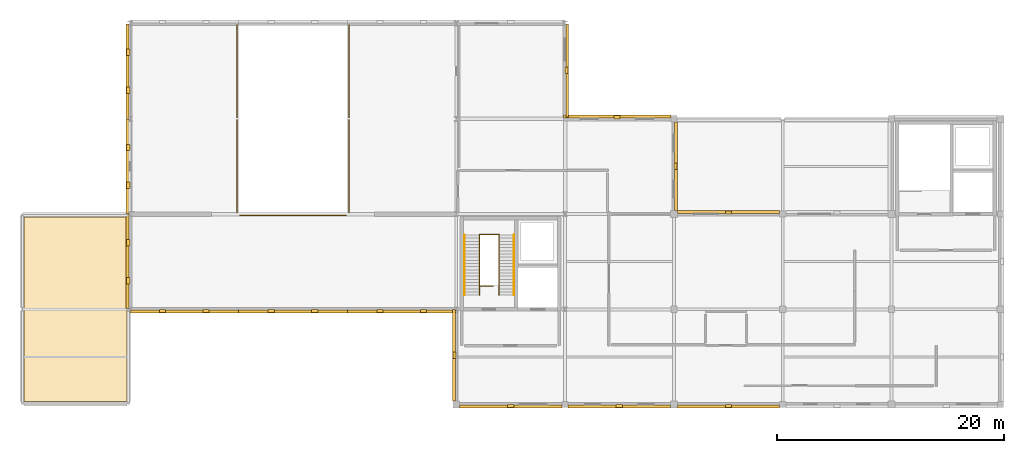
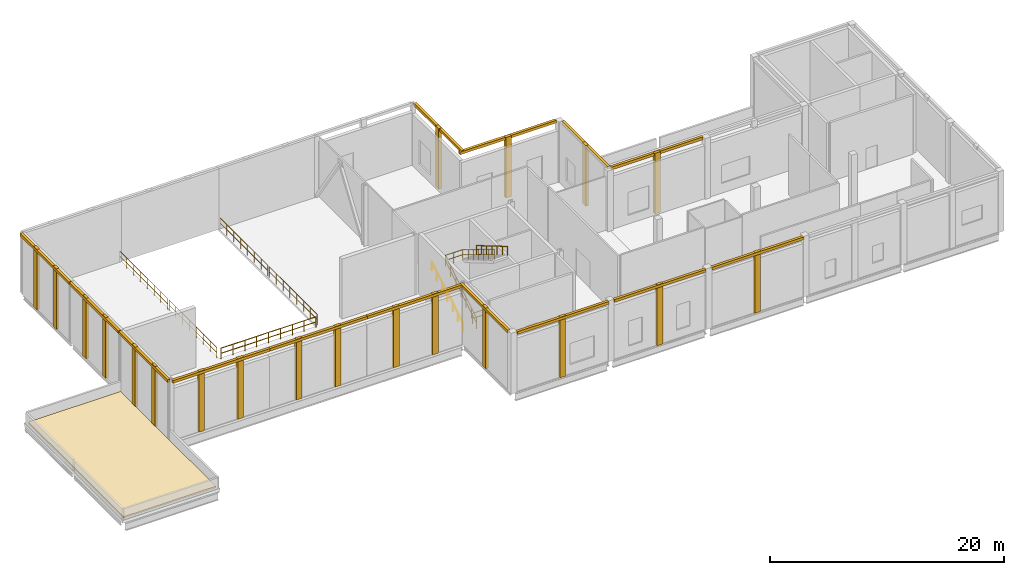
# One storey, part 8 of 9: 35 coverings, 11 railings.
"""IFC4 building model written with IfcOpenShell, lengths in metres."""

from ifc_helpers import new_model, si_unit, direction, frame, origin, origin_2d, place, context, subcontext, project, spatial, polyline, circle, outline, extrude, material, layer, layer_set, type_object, element, save


model = new_model("IFC4")

# Units and contexts
model_context = context("Model", 3, precision=1e-05, world=origin(), true_north=direction((0.0, 1.0)))
body_context = subcontext(model_context, "Body", "Model", "MODEL_VIEW")
ifc_project = project(units=[si_unit("LENGTHUNIT", "METRE"), si_unit("AREAUNIT", "SQUARE_METRE"), si_unit("VOLUMEUNIT", "CUBIC_METRE"), si_unit("PLANEANGLEUNIT", "RADIAN"), si_unit("MASSUNIT", "GRAM", prefix="KILO")], contexts=[model_context])

# Site, building, storey
site_placement = place(None, origin())
site = spatial("IfcSite", under=ifc_project, at=site_placement, CompositionType="ELEMENT")
building_placement = place(site_placement, origin())
building = spatial("IfcBuilding", under=site, at=building_placement, Name="Lornevale Opera House", CompositionType="ELEMENT")
storey_placement = place(building_placement, frame((0.0, 0.0, 24.60009765625)))
storey = spatial("IfcBuildingStorey", under=building, at=storey_placement, Name="L06", CompositionType="ELEMENT", Elevation=24.60009765625)

# Railings
ifc_material_1 = material(Name="Structural Steel CSA G40.21 Grade 350W (350 MPa)", Category="steel")
ifc_layer_1 = layer(ifc_material_1, 0.06005859375)
ifc_layer_set_1 = layer_set([ifc_layer_1], Name="Structural Steel CSA G40.21 Grade 350W (350 MPa)")
railing_type_1 = type_object("IfcRailingType", Name="Atrium Acoustic Balustrade 1120", PredefinedType="BALUSTRADE", material=ifc_layer_set_1)
for number, where, name in (
    (1, (76.659912109375, 67.320068359375, 0.0), "Atrium & Bowl Balustrade L06 0392"),
    (2, (76.659912109375, 75.719970703125, 0.0), "Atrium & Bowl Balustrade L06 0393"),
):
    element("IfcRailing", number, at=place(storey_placement, frame(where)), inside=storey, type_object=railing_type_1, Name=name, PredefinedType="BALUSTRADE", context=body_context, shape_type="SweptSolid", body=[
        extrude(circle(Radius=0.02392578125, at=origin_2d()), frame((0.0, 0.0, 1.09619140625), z_axis=(0.0, 1.0, 0.0), x_axis=(-1.0, 0.0, 0.0)), (0.0, 0.0, 1.0), 8.159912109375),
        extrude(circle(Radius=0.02392578125, at=origin_2d()), frame((0.0, 0.0, 0.56005859375), z_axis=(0.0, 1.0, 0.0), x_axis=(-1.0, 0.0, 0.0)), (0.0, 0.0, 1.0), 8.159912109375),
        extrude(circle(Radius=0.02099609375, at=origin_2d()), origin(), (0.0, 0.0, 1.0), 1.072021484375),
        extrude(circle(Radius=0.02099609375, at=origin_2d()), frame((0.0, 1.165771484375, 0.0)), (0.0, 0.0, 1.0), 1.072021484375),
        extrude(circle(Radius=0.02099609375, at=origin_2d()), frame((0.0, 2.331298828125, 0.0)), (0.0, 0.0, 1.0), 1.072021484375),
        extrude(circle(Radius=0.02099609375, at=origin_2d()), frame((0.0, 3.4970703125, 0.0)), (0.0, 0.0, 1.0), 1.072021484375),
        extrude(circle(Radius=0.02099609375, at=origin_2d()), frame((0.0, 4.662841796875, 0.0)), (0.0, 0.0, 1.0), 1.072021484375),
        extrude(circle(Radius=0.02099609375, at=origin_2d()), frame((0.0, 5.82861328125, 0.0)), (0.0, 0.0, 1.0), 1.072021484375),
        extrude(circle(Radius=0.02099609375, at=origin_2d()), frame((0.0, 6.994140625, 0.0)), (0.0, 0.0, 1.0), 1.072021484375),
        extrude(circle(Radius=0.02099609375, at=origin_2d()), frame((0.0, 8.159912109375, 0.0)), (0.0, 0.0, 1.0), 1.072021484375),
    ])
railing_1_placement = place(storey_placement, frame((76.919921875, 67.06005859375, 0.0)))
element("IfcRailing", 3, at=railing_1_placement, inside=storey, type_object=railing_type_1, Name="Atrium & Bowl Balustrade L06 0394", PredefinedType="BALUSTRADE", context=body_context, shape_type="SweptSolid", body=[
    extrude(circle(Radius=0.02392578125, at=origin_2d()), frame((0.0, 0.0, 1.09619140625), z_axis=(1.0, 0.0, 0.0), x_axis=(0.0, 1.0, 0.0)), (0.0, 0.0, 1.0), 9.360107421875),
    extrude(circle(Radius=0.02392578125, at=origin_2d()), frame((0.0, 0.0, 0.56005859375), z_axis=(1.0, 0.0, 0.0), x_axis=(0.0, 1.0, 0.0)), (0.0, 0.0, 1.0), 9.360107421875),
    extrude(circle(Radius=0.02099609375, at=origin_2d()), origin(), (0.0, 0.0, 1.0), 1.072021484375),
    extrude(circle(Radius=0.02099609375, at=origin_2d()), frame((1.169921875, 0.0, 0.0)), (0.0, 0.0, 1.0), 1.072021484375),
    extrude(circle(Radius=0.02099609375, at=origin_2d()), frame((2.340087890625, 0.0, 0.0)), (0.0, 0.0, 1.0), 1.072021484375),
    extrude(circle(Radius=0.02099609375, at=origin_2d()), frame((3.510009765625, 0.0, 0.0)), (0.0, 0.0, 1.0), 1.072021484375),
    extrude(circle(Radius=0.02099609375, at=origin_2d()), frame((4.68017578125, 0.0, 0.0)), (0.0, 0.0, 1.0), 1.072021484375),
    extrude(circle(Radius=0.02099609375, at=origin_2d()), frame((5.85009765625, 0.0, 0.0)), (0.0, 0.0, 1.0), 1.072021484375),
    extrude(circle(Radius=0.02099609375, at=origin_2d()), frame((7.02001953125, 0.0, 0.0)), (0.0, 0.0, 1.0), 1.072021484375),
    extrude(circle(Radius=0.02099609375, at=origin_2d()), frame((8.190185546875, 0.0, 0.0)), (0.0, 0.0, 1.0), 1.072021484375),
    extrude(circle(Radius=0.02099609375, at=origin_2d()), frame((9.360107421875, 0.0, 0.0)), (0.0, 0.0, 1.0), 1.072021484375),
])
for number, where, name in (
    (4, (86.5400390625, 67.320068359375, 0.0), "Atrium & Bowl Balustrade L06 0395"),
    (5, (86.5400390625, 75.719970703125, 0.0), "Atrium & Bowl Balustrade L06 0396"),
):
    element("IfcRailing", number, at=place(storey_placement, frame(where)), inside=storey, type_object=railing_type_1, Name=name, PredefinedType="BALUSTRADE", context=body_context, shape_type="SweptSolid", body=[
        extrude(circle(Radius=0.02392578125, at=origin_2d()), frame((0.0, 0.0, 1.09619140625), z_axis=(0.0, 1.0, 0.0), x_axis=(-1.0, 0.0, 0.0)), (0.0, 0.0, 1.0), 8.159912109375),
        extrude(circle(Radius=0.02392578125, at=origin_2d()), frame((0.0, 0.0, 0.56005859375), z_axis=(0.0, 1.0, 0.0), x_axis=(-1.0, 0.0, 0.0)), (0.0, 0.0, 1.0), 8.159912109375),
        extrude(circle(Radius=0.02099609375, at=origin_2d()), origin(), (0.0, 0.0, 1.0), 1.072021484375),
        extrude(circle(Radius=0.02099609375, at=origin_2d()), frame((0.0, 1.165771484375, 0.0)), (0.0, 0.0, 1.0), 1.072021484375),
        extrude(circle(Radius=0.02099609375, at=origin_2d()), frame((0.0, 2.331298828125, 0.0)), (0.0, 0.0, 1.0), 1.072021484375),
        extrude(circle(Radius=0.02099609375, at=origin_2d()), frame((0.0, 3.4970703125, 0.0)), (0.0, 0.0, 1.0), 1.072021484375),
        extrude(circle(Radius=0.02099609375, at=origin_2d()), frame((0.0, 4.662841796875, 0.0)), (0.0, 0.0, 1.0), 1.072021484375),
        extrude(circle(Radius=0.02099609375, at=origin_2d()), frame((0.0, 5.82861328125, 0.0)), (0.0, 0.0, 1.0), 1.072021484375),
        extrude(circle(Radius=0.02099609375, at=origin_2d()), frame((0.0, 6.994140625, 0.0)), (0.0, 0.0, 1.0), 1.072021484375),
        extrude(circle(Radius=0.02099609375, at=origin_2d()), frame((0.0, 8.159912109375, 0.0)), (0.0, 0.0, 1.0), 1.072021484375),
    ])

# Coverings
ifc_material_2 = material(Name="Vegetated Extensive Green Roof Assembly")
ifc_layer_2 = layer(ifc_material_2, 0.159912109375)
ifc_layer_set_2 = layer_set([ifc_layer_2], Name="Vegetated Extensive Green Roof Assembly")
covering_type_1 = type_object("IfcCoveringType", Name="Chapter 492 Green Roof Covering", PredefinedType="ROOFING", material=ifc_layer_set_2)
covering_1_placement = place(storey_placement, origin())
element("IfcCovering", 6, at=covering_1_placement, inside=storey, type_object=covering_type_1, Name="Chapter 492 Green Roof Covering 0571", PredefinedType="ROOFING", context=body_context, shape_type="SweptSolid", body=[
    extrude(outline(polyline([(57.860107421875, 50.659912109375), (57.860107421875, 66.93994140625), (66.93994140625, 66.93994140625), (66.93994140625, 50.659912109375), (57.860107421875, 50.659912109375)])), origin(), (0.0, 0.0, 1.0), 0.159912109375),
])
ifc_material_3 = material(Name="Precast Concrete 40 MPa (CSA A23.1 C-1)", Category="concrete")
ifc_layer_3 = layer(ifc_material_3, 0.260009765625)
ifc_layer_set_3 = layer_set([ifc_layer_3], Name="Precast Concrete 40 MPa (CSA A23.1 C-1)")
covering_type_2 = type_object("IfcCoveringType", Name="Postmodern Sandstone Pilaster Rib", PredefinedType="CLADDING", material=ifc_layer_set_3)
covering_2_placement = place(storey_placement, origin())
element("IfcCovering", 7, at=covering_2_placement, inside=storey, type_object=covering_type_2, Name="Postmodern Sandstone Pilaster 0466", PredefinedType="CLADDING", context=body_context, shape_type="SweptSolid", body=[
    extrude(outline(polyline([(74.201904296875, 58.800048828125), (73.64208984375, 58.800048828125), (73.64208984375, 58.52001953125), (74.201904296875, 58.52001953125), (74.201904296875, 58.800048828125)])), origin(), (0.0, 0.0, 1.0), 6.309814453125),
])
covering_3_placement = place(storey_placement, origin())
element("IfcCovering", 8, at=covering_3_placement, inside=storey, type_object=covering_type_2, Name="Postmodern Sandstone Pilaster 0467", PredefinedType="CLADDING", context=body_context, shape_type="SweptSolid", body=[
    extrude(outline(polyline([(70.373046875, 58.800048828125), (69.81298828125, 58.800048828125), (69.81298828125, 58.52001953125), (70.373046875, 58.52001953125), (70.373046875, 58.800048828125)])), origin(), (0.0, 0.0, 1.0), 6.309814453125),
])
covering_4_placement = place(storey_placement, origin())
element("IfcCovering", 9, at=covering_4_placement, inside=storey, type_object=covering_type_2, Name="Postmodern Sandstone Pilaster 0469", PredefinedType="CLADDING", context=body_context, shape_type="SweptSolid", body=[
    extrude(outline(polyline([(67.199951171875, 61.048095703125), (67.199951171875, 61.60791015625), (66.919921875, 61.60791015625), (66.919921875, 61.048095703125), (67.199951171875, 61.048095703125)])), origin(), (0.0, 0.0, 1.0), 6.309814453125),
])
covering_5_placement = place(storey_placement, origin())
element("IfcCovering", 10, at=covering_5_placement, inside=storey, type_object=covering_type_2, Name="Postmodern Sandstone Pilaster 0470", PredefinedType="CLADDING", context=body_context, shape_type="SweptSolid", body=[
    extrude(outline(polyline([(67.199951171875, 64.39208984375), (67.199951171875, 64.951904296875), (66.919921875, 64.951904296875), (66.919921875, 64.39208984375), (67.199951171875, 64.39208984375)])), origin(), (0.0, 0.0, 1.0), 6.309814453125),
])
covering_6_placement = place(storey_placement, origin())
element("IfcCovering", 11, at=covering_6_placement, inside=storey, type_object=covering_type_2, Name="Postmodern Sandstone Pilaster 0472", PredefinedType="CLADDING", context=body_context, shape_type="SweptSolid", body=[
    extrude(outline(polyline([(67.199951171875, 69.447998046875), (67.199951171875, 70.008056640625), (66.919921875, 70.008056640625), (66.919921875, 69.447998046875), (67.199951171875, 69.447998046875)])), origin(), (0.0, 0.0, 1.0), 6.309814453125),
])
covering_7_placement = place(storey_placement, origin())
element("IfcCovering", 12, at=covering_7_placement, inside=storey, type_object=covering_type_2, Name="Postmodern Sandstone Pilaster 0473", PredefinedType="CLADDING", context=body_context, shape_type="SweptSolid", body=[
    extrude(outline(polyline([(67.199951171875, 72.7919921875), (67.199951171875, 73.35205078125), (66.919921875, 73.35205078125), (66.919921875, 72.7919921875), (67.199951171875, 72.7919921875)])), origin(), (0.0, 0.0, 1.0), 6.309814453125),
])
covering_8_placement = place(storey_placement, origin())
element("IfcCovering", 13, at=covering_8_placement, inside=storey, type_object=covering_type_2, Name="Postmodern Sandstone Pilaster 0478", PredefinedType="CLADDING", context=body_context, shape_type="SweptSolid", body=[
    extrude(outline(polyline([(67.199951171875, 77.847900390625), (67.199951171875, 78.407958984375), (66.919921875, 78.407958984375), (66.919921875, 77.847900390625), (67.199951171875, 77.847900390625)])), origin(), (0.0, 0.0, 1.0), 6.309814453125),
])
covering_9_placement = place(storey_placement, origin())
element("IfcCovering", 14, at=covering_9_placement, inside=storey, type_object=covering_type_2, Name="Postmodern Sandstone Pilaster 0479", PredefinedType="CLADDING", context=body_context, shape_type="SweptSolid", body=[
    extrude(outline(polyline([(67.199951171875, 81.19189453125), (67.199951171875, 81.751953125), (66.919921875, 81.751953125), (66.919921875, 81.19189453125), (67.199951171875, 81.19189453125)])), origin(), (0.0, 0.0, 1.0), 6.309814453125),
])
covering_10_placement = place(storey_placement, origin())
element("IfcCovering", 15, at=covering_10_placement, inside=storey, type_object=covering_type_2, Name="Postmodern Sandstone Pilaster 0481", PredefinedType="CLADDING", context=body_context, shape_type="SweptSolid", body=[
    extrude(outline(polyline([(83.798095703125, 58.800048828125), (83.238037109375, 58.800048828125), (83.238037109375, 58.52001953125), (83.798095703125, 58.52001953125), (83.798095703125, 58.800048828125)])), origin(), (0.0, 0.0, 1.0), 6.309814453125),
])
covering_11_placement = place(storey_placement, origin())
element("IfcCovering", 16, at=covering_11_placement, inside=storey, type_object=covering_type_2, Name="Postmodern Sandstone Pilaster 0482", PredefinedType="CLADDING", context=body_context, shape_type="SweptSolid", body=[
    extrude(outline(polyline([(79.9619140625, 58.800048828125), (79.402099609375, 58.800048828125), (79.402099609375, 58.52001953125), (79.9619140625, 58.52001953125), (79.9619140625, 58.800048828125)])), origin(), (0.0, 0.0, 1.0), 6.309814453125),
])
covering_12_placement = place(storey_placement, origin())
element("IfcCovering", 17, at=covering_12_placement, inside=storey, type_object=covering_type_2, Name="Postmodern Sandstone Pilaster 0487", PredefinedType="CLADDING", context=body_context, shape_type="SweptSolid", body=[
    extrude(outline(polyline([(93.387939453125, 58.800048828125), (92.827880859375, 58.800048828125), (92.827880859375, 58.52001953125), (93.387939453125, 58.52001953125), (93.387939453125, 58.800048828125)])), origin(), (0.0, 0.0, 1.0), 6.309814453125),
])
covering_13_placement = place(storey_placement, origin())
element("IfcCovering", 18, at=covering_13_placement, inside=storey, type_object=covering_type_2, Name="Postmodern Sandstone Pilaster 0488", PredefinedType="CLADDING", context=body_context, shape_type="SweptSolid", body=[
    extrude(outline(polyline([(89.55810546875, 58.800048828125), (88.998046875, 58.800048828125), (88.998046875, 58.52001953125), (89.55810546875, 58.52001953125), (89.55810546875, 58.800048828125)])), origin(), (0.0, 0.0, 1.0), 6.309814453125),
])
covering_14_placement = place(storey_placement, origin())
element("IfcCovering", 19, at=covering_14_placement, inside=storey, type_object=covering_type_2, Name="Postmodern Sandstone Pilaster 0493", PredefinedType="CLADDING", context=body_context, shape_type="SweptSolid", body=[
    extrude(outline(polyline([(101.092041015625, 50.39990234375), (100.531982421875, 50.39990234375), (100.531982421875, 50.1201171875), (101.092041015625, 50.1201171875), (101.092041015625, 50.39990234375)])), origin(), (0.0, 0.0, 1.0), 6.309814453125),
])
covering_15_placement = place(storey_placement, origin())
element("IfcCovering", 20, at=covering_15_placement, inside=storey, type_object=covering_type_2, Name="Postmodern Sandstone Pilaster 0495", PredefinedType="CLADDING", context=body_context, shape_type="SweptSolid", body=[
    extrude(outline(polyline([(96.0, 54.4599609375), (96.0, 55.02001953125), (95.719970703125, 55.02001953125), (95.719970703125, 54.4599609375), (96.0, 54.4599609375)])), origin(), (0.0, 0.0, 1.0), 6.309814453125),
])
covering_16_placement = place(storey_placement, origin())
element("IfcCovering", 21, at=covering_16_placement, inside=storey, type_object=covering_type_2, Name="Postmodern Sandstone Pilaster 0499", PredefinedType="CLADDING", context=body_context, shape_type="SweptSolid", body=[
    extrude(outline(polyline([(105.60009765625, 80.153076171875), (105.60009765625, 79.593017578125), (105.8798828125, 79.593017578125), (105.8798828125, 80.153076171875), (105.60009765625, 80.153076171875)])), origin(), (0.0, 0.0, 1.0), 6.309814453125),
])
covering_17_placement = place(storey_placement, origin())
element("IfcCovering", 22, at=covering_17_placement, inside=storey, type_object=covering_type_2, Name="Postmodern Sandstone Pilaster 0501", PredefinedType="CLADDING", context=body_context, shape_type="SweptSolid", body=[
    extrude(outline(polyline([(110.66796875, 50.39990234375), (110.10791015625, 50.39990234375), (110.10791015625, 50.1201171875), (110.66796875, 50.1201171875), (110.66796875, 50.39990234375)])), origin(), (0.0, 0.0, 1.0), 6.309814453125),
])
covering_18_placement = place(storey_placement, origin())
element("IfcCovering", 23, at=covering_18_placement, inside=storey, type_object=covering_type_2, Name="Postmodern Sandstone Pilaster 0503", PredefinedType="CLADDING", context=body_context, shape_type="SweptSolid", body=[
    extrude(outline(polyline([(109.904052734375, 75.60009765625), (110.464111328125, 75.60009765625), (110.464111328125, 75.8798828125), (109.904052734375, 75.8798828125), (109.904052734375, 75.60009765625)])), origin(), (0.0, 0.0, 1.0), 6.309814453125),
])
covering_19_placement = place(storey_placement, origin())
element("IfcCovering", 24, at=covering_19_placement, inside=storey, type_object=covering_type_2, Name="Postmodern Sandstone Pilaster 0505", PredefinedType="CLADDING", context=body_context, shape_type="SweptSolid", body=[
    extrude(outline(polyline([(115.199951171875, 71.693115234375), (115.199951171875, 71.133056640625), (115.47998046875, 71.133056640625), (115.47998046875, 71.693115234375), (115.199951171875, 71.693115234375)])), origin(), (0.0, 0.0, 1.0), 6.309814453125),
])
covering_20_placement = place(storey_placement, origin())
element("IfcCovering", 25, at=covering_20_placement, inside=storey, type_object=covering_type_2, Name="Postmodern Sandstone Pilaster 0507", PredefinedType="CLADDING", context=body_context, shape_type="SweptSolid", body=[
    extrude(outline(polyline([(120.29296875, 50.39990234375), (119.73291015625, 50.39990234375), (119.73291015625, 50.1201171875), (120.29296875, 50.1201171875), (120.29296875, 50.39990234375)])), origin(), (0.0, 0.0, 1.0), 6.309814453125),
])
covering_21_placement = place(storey_placement, origin())
element("IfcCovering", 26, at=covering_21_placement, inside=storey, type_object=covering_type_2, Name="Postmodern Sandstone Pilaster 0509", PredefinedType="CLADDING", context=body_context, shape_type="SweptSolid", body=[
    extrude(outline(polyline([(119.73291015625, 67.199951171875), (120.29296875, 67.199951171875), (120.29296875, 67.47998046875), (119.73291015625, 67.47998046875), (119.73291015625, 67.199951171875)])), origin(), (0.0, 0.0, 1.0), 6.309814453125),
])
ifc_material_4 = material(Name="Queenston Buff Limestone Ashlar Masonry (25 MPa)", Category="masonry")
ifc_layer_4 = layer(ifc_material_4, 0.1201171875)
ifc_layer_set_4 = layer_set([ifc_layer_4], Name="Queenston Buff Limestone Ashlar Masonry (25 MPa)")
covering_type_3 = type_object("IfcCoveringType", Name="Precast Limestone Cornice Band", PredefinedType="CLADDING", material=ifc_layer_set_4)
covering_22_placement = place(storey_placement, frame((0.0, 0.0, 6.02978515625)))
element("IfcCovering", 27, at=covering_22_placement, inside=storey, type_object=covering_type_3, Name="Precast Limestone Cornice Band 0468", PredefinedType="CLADDING", context=body_context, shape_type="SweptSolid", body=[
    extrude(outline(polyline([(76.794921875, 58.739990234375), (67.219970703125, 58.739990234375), (67.219970703125, 58.47998046875), (76.794921875, 58.47998046875), (76.794921875, 58.739990234375)])), origin(), (0.0, 0.0, 1.0), 0.280029296875),
])
covering_23_placement = place(storey_placement, frame((0.0, 0.0, 6.02978515625)))
element("IfcCovering", 28, at=covering_23_placement, inside=storey, type_object=covering_type_3, Name="Precast Limestone Cornice Band 0471", PredefinedType="CLADDING", context=body_context, shape_type="SweptSolid", body=[
    extrude(outline(polyline([(67.139892578125, 58.820068359375), (67.139892578125, 67.179931640625), (66.8798828125, 67.179931640625), (66.8798828125, 58.820068359375), (67.139892578125, 58.820068359375)])), origin(), (0.0, 0.0, 1.0), 0.280029296875),
])
covering_24_placement = place(storey_placement, frame((0.0, 0.0, 6.02978515625)))
element("IfcCovering", 29, at=covering_24_placement, inside=storey, type_object=covering_type_3, Name="Precast Limestone Cornice Band 0474", PredefinedType="CLADDING", context=body_context, shape_type="SweptSolid", body=[
    extrude(outline(polyline([(67.139892578125, 67.219970703125), (67.139892578125, 75.580078125), (66.8798828125, 75.580078125), (66.8798828125, 67.219970703125), (67.139892578125, 67.219970703125)])), origin(), (0.0, 0.0, 1.0), 0.280029296875),
])
covering_25_placement = place(storey_placement, frame((0.0, 0.0, 6.02978515625)))
element("IfcCovering", 30, at=covering_25_placement, inside=storey, type_object=covering_type_3, Name="Precast Limestone Cornice Band 0480", PredefinedType="CLADDING", context=body_context, shape_type="SweptSolid", body=[
    extrude(outline(polyline([(67.139892578125, 75.6201171875), (67.139892578125, 83.97998046875), (66.8798828125, 83.97998046875), (66.8798828125, 75.6201171875), (67.139892578125, 75.6201171875)])), origin(), (0.0, 0.0, 1.0), 0.280029296875),
])
covering_26_placement = place(storey_placement, frame((0.0, 0.0, 6.02978515625)))
element("IfcCovering", 31, at=covering_26_placement, inside=storey, type_object=covering_type_3, Name="Precast Limestone Cornice Band 0483", PredefinedType="CLADDING", context=body_context, shape_type="SweptSolid", body=[
    extrude(outline(polyline([(86.39501953125, 58.739990234375), (76.804931640625, 58.739990234375), (76.804931640625, 58.47998046875), (86.39501953125, 58.47998046875), (86.39501953125, 58.739990234375)])), origin(), (0.0, 0.0, 1.0), 0.280029296875),
])
covering_27_placement = place(storey_placement, frame((0.0, 0.0, 6.02978515625)))
element("IfcCovering", 32, at=covering_27_placement, inside=storey, type_object=covering_type_3, Name="Precast Limestone Cornice Band 0489", PredefinedType="CLADDING", context=body_context, shape_type="SweptSolid", body=[
    extrude(outline(polyline([(95.97998046875, 58.739990234375), (86.405029296875, 58.739990234375), (86.405029296875, 58.47998046875), (95.97998046875, 58.47998046875), (95.97998046875, 58.739990234375)])), origin(), (0.0, 0.0, 1.0), 0.280029296875),
])
covering_28_placement = place(storey_placement, frame((0.0, 0.0, 6.02978515625)))
element("IfcCovering", 33, at=covering_28_placement, inside=storey, type_object=covering_type_3, Name="Precast Limestone Cornice Band 0494", PredefinedType="CLADDING", context=body_context, shape_type="SweptSolid", body=[
    extrude(outline(polyline([(105.324951171875, 50.340087890625), (96.300048828125, 50.340087890625), (96.300048828125, 50.080078125), (105.324951171875, 50.080078125), (105.324951171875, 50.340087890625)])), origin(), (0.0, 0.0, 1.0), 0.280029296875),
])
covering_29_placement = place(storey_placement, frame((0.0, 0.0, 6.02978515625)))
element("IfcCovering", 34, at=covering_29_placement, inside=storey, type_object=covering_type_3, Name="Precast Limestone Cornice Band 0496", PredefinedType="CLADDING", context=body_context, shape_type="SweptSolid", body=[
    extrude(outline(polyline([(95.93994140625, 50.699951171875), (95.93994140625, 58.780029296875), (95.679931640625, 58.780029296875), (95.679931640625, 50.699951171875), (95.93994140625, 50.699951171875)])), origin(), (0.0, 0.0, 1.0), 0.280029296875),
])
covering_30_placement = place(storey_placement, frame((0.0, 0.0, 6.02978515625)))
element("IfcCovering", 35, at=covering_30_placement, inside=storey, type_object=covering_type_3, Name="Precast Limestone Cornice Band 0500", PredefinedType="CLADDING", context=body_context, shape_type="SweptSolid", body=[
    extrude(outline(polyline([(105.659912109375, 83.97998046875), (105.659912109375, 75.76708984375), (105.919921875, 75.76708984375), (105.919921875, 83.97998046875), (105.659912109375, 83.97998046875)])), origin(), (0.0, 0.0, 1.0), 0.280029296875),
])
covering_31_placement = place(storey_placement, frame((0.0, 0.0, 6.02978515625)))
element("IfcCovering", 36, at=covering_31_placement, inside=storey, type_object=covering_type_3, Name="Precast Limestone Cornice Band 0502", PredefinedType="CLADDING", context=body_context, shape_type="SweptSolid", body=[
    extrude(outline(polyline([(114.89990234375, 50.340087890625), (105.875, 50.340087890625), (105.875, 50.080078125), (114.89990234375, 50.080078125), (114.89990234375, 50.340087890625)])), origin(), (0.0, 0.0, 1.0), 0.280029296875),
])
covering_32_placement = place(storey_placement, frame((0.0, 0.0, 6.02978515625)))
element("IfcCovering", 37, at=covering_32_placement, inside=storey, type_object=covering_type_3, Name="Precast Limestone Cornice Band 0504", PredefinedType="CLADDING", context=body_context, shape_type="SweptSolid", body=[
    extrude(outline(polyline([(105.444091796875, 75.659912109375), (114.925048828125, 75.659912109375), (114.925048828125, 75.919921875), (105.444091796875, 75.919921875), (105.444091796875, 75.659912109375)])), origin(), (0.0, 0.0, 1.0), 0.280029296875),
])
covering_33_placement = place(storey_placement, frame((0.0, 0.0, 6.02978515625)))
element("IfcCovering", 38, at=covering_33_placement, inside=storey, type_object=covering_type_3, Name="Precast Limestone Cornice Band 0506", PredefinedType="CLADDING", context=body_context, shape_type="SweptSolid", body=[
    extrude(outline(polyline([(115.260009765625, 75.324951171875), (115.260009765625, 67.5), (115.52001953125, 67.5), (115.52001953125, 75.324951171875), (115.260009765625, 75.324951171875)])), origin(), (0.0, 0.0, 1.0), 0.280029296875),
])
covering_34_placement = place(storey_placement, frame((0.0, 0.0, 6.02978515625)))
element("IfcCovering", 39, at=covering_34_placement, inside=storey, type_object=covering_type_3, Name="Precast Limestone Cornice Band 0508", PredefinedType="CLADDING", context=body_context, shape_type="SweptSolid", body=[
    extrude(outline(polyline([(124.52490234375, 50.340087890625), (115.5, 50.340087890625), (115.5, 50.080078125), (124.52490234375, 50.080078125), (124.52490234375, 50.340087890625)])), origin(), (0.0, 0.0, 1.0), 0.280029296875),
])
covering_35_placement = place(storey_placement, frame((0.0, 0.0, 6.02978515625)))
element("IfcCovering", 40, at=covering_35_placement, inside=storey, type_object=covering_type_3, Name="Precast Limestone Cornice Band 0510", PredefinedType="CLADDING", context=body_context, shape_type="SweptSolid", body=[
    extrude(outline(polyline([(115.5, 67.260009765625), (124.52490234375, 67.260009765625), (124.52490234375, 67.52001953125), (115.5, 67.52001953125), (115.5, 67.260009765625)])), origin(), (0.0, 0.0, 1.0), 0.280029296875),
])

# Railings
ifc_layer_5 = layer(ifc_material_1, 0.050048828125)
ifc_layer_set_5 = layer_set([ifc_layer_5], Name="Structural Steel CSA G40.21 Grade 350W (350 MPa)")
railing_type_2 = type_object("IfcRailingType", Name="Stair Well Guardrail 1100", PredefinedType="GUARDRAIL", material=ifc_layer_set_5)
railing_2_placement = place(storey_placement, frame((98.0400390625, 60.0400390625, 0.0)))
element("IfcRailing", 41, at=railing_2_placement, inside=storey, type_object=railing_type_2, Name="ST-27 Inner Well Guard F1", PredefinedType="GUARDRAIL", context=body_context, shape_type="SweptSolid", body=[
    extrude(circle(Radius=0.02392578125, at=origin_2d()), frame((0.0, 0.0, 1.076171875), z_axis=(0.0, 0.849805221637, 0.527096846205), x_axis=(-1.0, 0.0, 0.0)), (0.0, 0.0, 1.0), 6.26025390625),
    extrude(circle(Radius=0.02392578125, at=origin_2d()), frame((0.0, 0.0, 0.550048828125), z_axis=(0.0, 0.849805221637, 0.527096846205), x_axis=(-1.0, 0.0, 0.0)), (0.0, 0.0, 1.0), 6.26025390625),
    extrude(circle(Radius=0.02099609375, at=origin_2d()), origin(), (0.0, 0.0, 1.0), 1.052001953125),
    extrude(circle(Radius=0.02099609375, at=origin_2d()), frame((0.0, 0.88671875, 0.550048828125)), (0.0, 0.0, 1.0), 1.052001953125),
    extrude(circle(Radius=0.02099609375, at=origin_2d()), frame((0.0, 1.7734375, 1.099853515625)), (0.0, 0.0, 1.0), 1.052001953125),
    extrude(circle(Radius=0.02099609375, at=origin_2d()), frame((0.0, 2.66015625, 1.64990234375)), (0.0, 0.0, 1.0), 1.052001953125),
    extrude(circle(Radius=0.02099609375, at=origin_2d()), frame((0.0, 3.546630859375, 2.199951171875)), (0.0, 0.0, 1.0), 1.052001953125),
    extrude(circle(Radius=0.02099609375, at=origin_2d()), frame((0.0, 4.433349609375, 2.749755859375)), (0.0, 0.0, 1.0), 1.052001953125),
    extrude(circle(Radius=0.02099609375, at=origin_2d()), frame((0.0, 5.320068359375, 3.2998046875)), (0.0, 0.0, 1.0), 1.052001953125),
])
railing_3_placement = place(storey_placement, frame((99.760009765625, 65.360107421875, 3.2998046875)))
element("IfcRailing", 42, at=railing_3_placement, inside=storey, type_object=railing_type_2, Name="ST-27 Inner Well Guard F2", PredefinedType="GUARDRAIL", context=body_context, shape_type="SweptSolid", body=[
    extrude(circle(Radius=0.02392578125, at=origin_2d()), frame((0.0, 0.0, 1.076171875), z_axis=(0.0, -0.849787753173, 0.527125008473), x_axis=(1.0, 0.0, 0.0)), (0.0, 0.0, 1.0), 6.260498046875),
    extrude(circle(Radius=0.02392578125, at=origin_2d()), frame((0.0, 0.0, 0.550048828125), z_axis=(0.0, -0.849787753173, 0.527125008473), x_axis=(1.0, 0.0, 0.0)), (0.0, 0.0, 1.0), 6.260498046875),
    extrude(circle(Radius=0.02099609375, at=origin_2d()), origin(), (0.0, 0.0, 1.0), 1.052001953125),
    extrude(circle(Radius=0.02099609375, at=origin_2d()), frame((0.0, -0.88671875, 0.550048828125)), (0.0, 0.0, 1.0), 1.052001953125),
    extrude(circle(Radius=0.02099609375, at=origin_2d()), frame((0.0, -1.7734375, 1.10009765625)), (0.0, 0.0, 1.0), 1.052001953125),
    extrude(circle(Radius=0.02099609375, at=origin_2d()), frame((0.0, -2.66015625, 1.64990234375)), (0.0, 0.0, 1.0), 1.052001953125),
    extrude(circle(Radius=0.02099609375, at=origin_2d()), frame((0.0, -3.546630859375, 2.199951171875)), (0.0, 0.0, 1.0), 1.052001953125),
    extrude(circle(Radius=0.02099609375, at=origin_2d()), frame((0.0, -4.433349609375, 2.75)), (0.0, 0.0, 1.0), 1.052001953125),
    extrude(circle(Radius=0.02099609375, at=origin_2d()), frame((0.0, -5.320068359375, 3.300048828125)), (0.0, 0.0, 1.0), 1.052001953125),
])
railing_4_placement = place(storey_placement, frame((98.0400390625, 65.389892578125, 3.2998046875)))
element("IfcRailing", 43, at=railing_4_placement, inside=storey, type_object=railing_type_2, Name="ST-27 Half-Landing Slot Guard", PredefinedType="GUARDRAIL", context=body_context, shape_type="SweptSolid", body=[
    extrude(circle(Radius=0.02392578125, at=origin_2d()), frame((0.0, 0.0, 1.076171875), z_axis=(1.0, 0.0, 0.0), x_axis=(0.0, 1.0, 0.0)), (0.0, 0.0, 1.0), 1.719970703125),
    extrude(circle(Radius=0.02392578125, at=origin_2d()), frame((0.0, 0.0, 0.550048828125), z_axis=(1.0, 0.0, 0.0), x_axis=(0.0, 1.0, 0.0)), (0.0, 0.0, 1.0), 1.719970703125),
    extrude(circle(Radius=0.02099609375, at=origin_2d()), origin(), (0.0, 0.0, 1.0), 1.052001953125),
    extrude(circle(Radius=0.02099609375, at=origin_2d()), frame((0.85986328125, 0.0, 0.0)), (0.0, 0.0, 1.0), 1.052001953125),
    extrude(circle(Radius=0.02099609375, at=origin_2d()), frame((1.719970703125, 0.0, 0.0)), (0.0, 0.0, 1.0), 1.052001953125),
])
railing_5_placement = place(storey_placement, frame((98.080078125, 60.840087890625, 0.0)))
element("IfcRailing", 44, at=railing_5_placement, inside=storey, type_object=railing_type_2, Name="ST-27 L06 Well Slot Guard", PredefinedType="GUARDRAIL", context=body_context, shape_type="SweptSolid", body=[
    extrude(circle(Radius=0.02392578125, at=origin_2d()), frame((0.0, 0.0, 1.076171875), z_axis=(1.0, 0.0, 0.0), x_axis=(0.0, 1.0, 0.0)), (0.0, 0.0, 1.0), 1.159912109375),
    extrude(circle(Radius=0.02392578125, at=origin_2d()), frame((0.0, 0.0, 0.550048828125), z_axis=(1.0, 0.0, 0.0), x_axis=(0.0, 1.0, 0.0)), (0.0, 0.0, 1.0), 1.159912109375),
    extrude(circle(Radius=0.02099609375, at=origin_2d()), origin(), (0.0, 0.0, 1.0), 1.052001953125),
    extrude(circle(Radius=0.02099609375, at=origin_2d()), frame((1.159912109375, 0.0, 0.0)), (0.0, 0.0, 1.0), 1.052001953125),
])
ifc_layer_6 = layer(ifc_material_1, 0.048095703125)
ifc_layer_set_6 = layer_set([ifc_layer_6], Name="Structural Steel CSA G40.21 Grade 350W (350 MPa)")
railing_type_3 = type_object("IfcRailingType", Name="Tubular Stair Handrail 915", PredefinedType="HANDRAIL", material=ifc_layer_set_6)
railing_6_placement = place(storey_placement, frame((96.719970703125, 60.0400390625, 0.16796875)))
element("IfcRailing", 45, at=railing_6_placement, inside=storey, type_object=railing_type_3, Name="ST-27 Outer Handrail F1", PredefinedType="HANDRAIL", context=body_context, shape_type="SweptSolid", body=[
    extrude(circle(Radius=0.02392578125, at=origin_2d()), frame((0.0, 0.0, 0.89111328125), z_axis=(0.0, 0.861540623173, 0.507688639446), x_axis=(-1.0, 0.0, 0.0)), (0.0, 0.0, 1.0), 6.175048828125),
    extrude(circle(Radius=0.02099609375, at=origin_2d()), origin(), (0.0, 0.0, 1.0), 0.866943359375),
    extrude(circle(Radius=0.02099609375, at=origin_2d()), frame((0.0, 0.88671875, 0.5224609375)), (0.0, 0.0, 1.0), 0.866943359375),
    extrude(circle(Radius=0.02099609375, at=origin_2d()), frame((0.0, 1.7734375, 1.044921875)), (0.0, 0.0, 1.0), 0.866943359375),
    extrude(circle(Radius=0.02099609375, at=origin_2d()), frame((0.0, 2.66015625, 1.5673828125)), (0.0, 0.0, 1.0), 0.866943359375),
    extrude(circle(Radius=0.02099609375, at=origin_2d()), frame((0.0, 3.546630859375, 2.090087890625)), (0.0, 0.0, 1.0), 0.866943359375),
    extrude(circle(Radius=0.02099609375, at=origin_2d()), frame((0.0, 4.433349609375, 2.612548828125)), (0.0, 0.0, 1.0), 0.866943359375),
    extrude(circle(Radius=0.02099609375, at=origin_2d()), frame((0.0, 5.320068359375, 3.135009765625)), (0.0, 0.0, 1.0), 0.866943359375),
])
railing_7_placement = place(storey_placement, frame((101.080078125, 65.360107421875, 3.468017578125)))
element("IfcRailing", 46, at=railing_7_placement, inside=storey, type_object=railing_type_3, Name="ST-27 Outer Handrail F2", PredefinedType="HANDRAIL", context=body_context, shape_type="SweptSolid", body=[
    extrude(circle(Radius=0.02392578125, at=origin_2d()), frame((0.0, 0.0, 0.89111328125), z_axis=(0.0, -0.861557916079, 0.507659292481), x_axis=(1.0, 0.0, 0.0)), (0.0, 0.0, 1.0), 6.175048828125),
    extrude(circle(Radius=0.02099609375, at=origin_2d()), origin(), (0.0, 0.0, 1.0), 0.866943359375),
    extrude(circle(Radius=0.02099609375, at=origin_2d()), frame((0.0, -0.88671875, 0.5224609375)), (0.0, 0.0, 1.0), 0.866943359375),
    extrude(circle(Radius=0.02099609375, at=origin_2d()), frame((0.0, -1.7734375, 1.044921875)), (0.0, 0.0, 1.0), 0.866943359375),
    extrude(circle(Radius=0.02099609375, at=origin_2d()), frame((0.0, -2.66015625, 1.5673828125)), (0.0, 0.0, 1.0), 0.866943359375),
    extrude(circle(Radius=0.02099609375, at=origin_2d()), frame((0.0, -3.546630859375, 2.08984375)), (0.0, 0.0, 1.0), 0.866943359375),
    extrude(circle(Radius=0.02099609375, at=origin_2d()), frame((0.0, -4.433349609375, 2.6123046875)), (0.0, 0.0, 1.0), 0.866943359375),
    extrude(circle(Radius=0.02099609375, at=origin_2d()), frame((0.0, -5.320068359375, 3.134765625)), (0.0, 0.0, 1.0), 0.866943359375),
])

save(model, "model.ifc")
